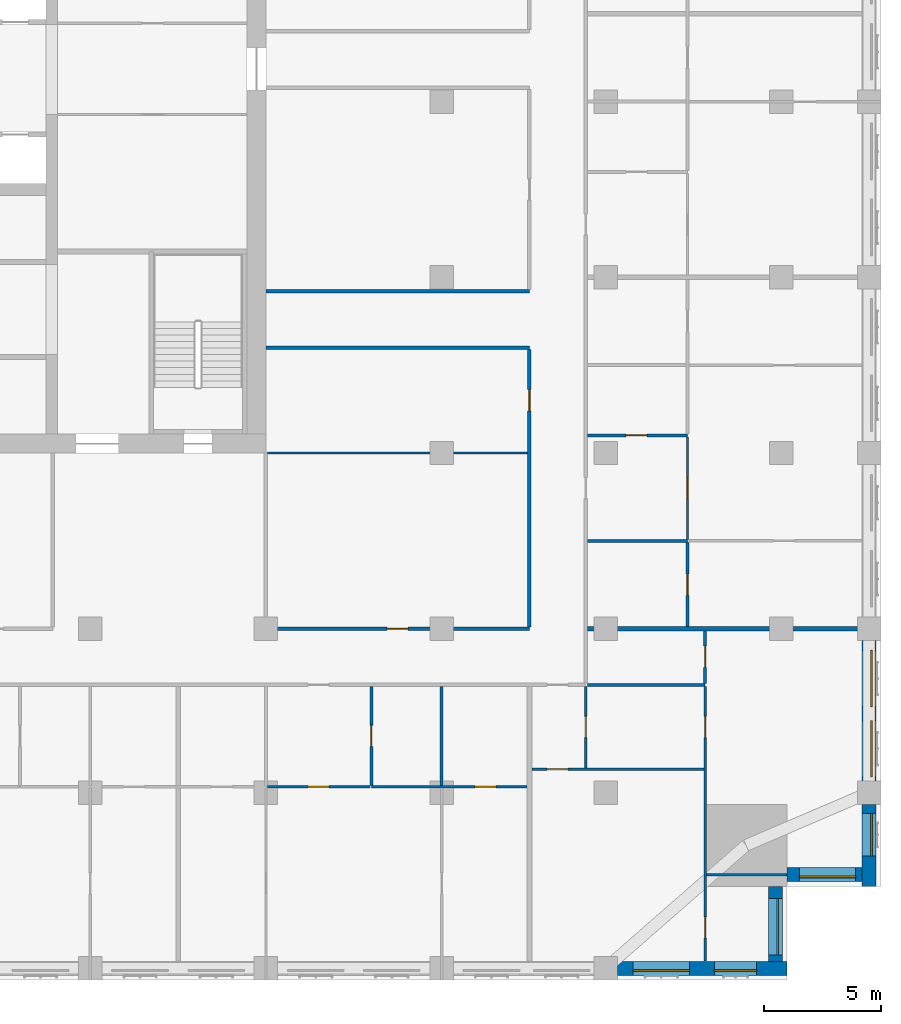
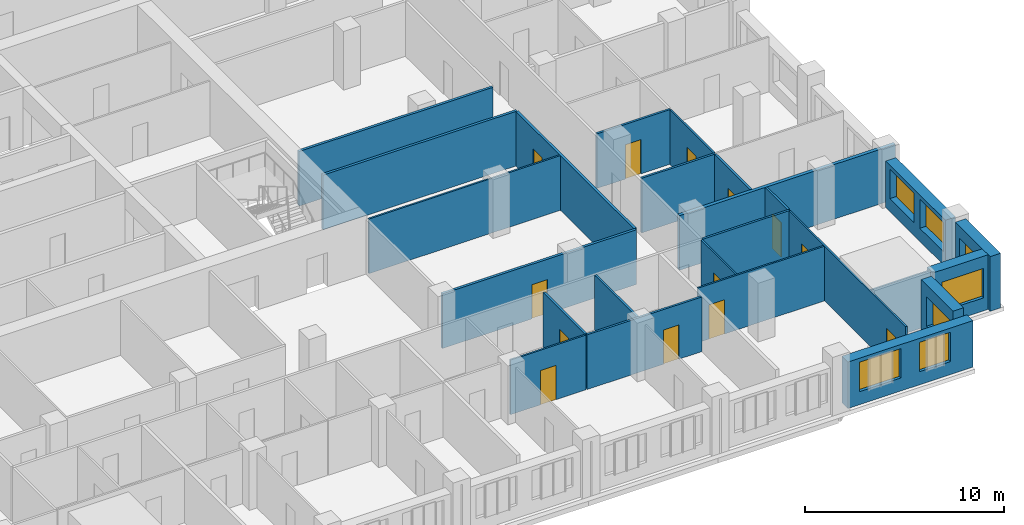
# One storey, part 6 of 13: 25 walls, 13 doors, 7 windows, 20 openings.
"""IFC4 building model written with IfcOpenShell, lengths in metres."""

from ifc_helpers import new_model, si_unit, direction, frame, frame_2d, origin, place, context, subcontext, project, spatial, rectangle, extrude, material, layer, layer_set, type_object, element, fill, save


model = new_model("IFC4")

# Units and contexts
model_context = context("Model", 3, precision=1e-05, world=origin(), true_north=direction((0.0, 1.0)))
body_context = subcontext(model_context, "Body", "Model", "MODEL_VIEW")
ifc_project = project(units=[si_unit("LENGTHUNIT", "METRE"), si_unit("AREAUNIT", "SQUARE_METRE"), si_unit("VOLUMEUNIT", "CUBIC_METRE"), si_unit("PLANEANGLEUNIT", "RADIAN"), si_unit("MASSUNIT", "GRAM", prefix="KILO")], contexts=[model_context])

# Site, building, storey
site_placement = place(None, origin())
site = spatial("IfcSite", under=ifc_project, at=site_placement, CompositionType="ELEMENT")
building_placement = place(site_placement, origin())
building = spatial("IfcBuilding", under=site, at=building_placement, Name="Tamorin Gate", CompositionType="ELEMENT")
storey_placement = place(building_placement, frame((0.0, 0.0, 159.0)))
storey = spatial("IfcBuildingStorey", under=building, at=storey_placement, Name="L39", CompositionType="ELEMENT", Elevation=159.0)

# Wall, openings, windows
ifc_material_1 = material(Name="Precast concrete C40/50", Category="concrete")
ifc_layer_1 = layer(ifc_material_1, 0.60009765625)
ifc_layer_set_1 = layer_set([ifc_layer_1], Name="Precast concrete C40/50")
wall_type_1 = type_object("IfcWallType", Name="Board-marked concrete facade panel 600", PredefinedType="SOLIDWALL", material=ifc_layer_set_1)
wall_1_placement = place(storey_placement, frame((75.0, 38.0, 0.0), z_axis=(0.0, 0.0, 1.0), x_axis=(1.0, 0.0, 0.0)))
wall_1 = element("IfcWall", 1, at=wall_1_placement, inside=storey, type_object=wall_type_1, Name="Facade panel", PredefinedType="SOLIDWALL", context=body_context, shape_type="SweptSolid", body=[
    extrude(rectangle(XDim=7.25, YDim=0.60009765625, at=frame_2d((3.625, 0.0))), origin(), (0.0, 0.0, 1.0), 2.85009765625),
])
opening_1_placement = place(wall_1_placement, frame((0.675048828125, 0.0, 0.800048828125)))
opening_1 = element("IfcOpeningElement", 2, at=opening_1_placement, cuts=wall_1, Name="Opening WN1", PredefinedType="OPENING", context=body_context, shape_type="SweptSolid", body=[
    extrude(rectangle(XDim=2.39990234375, YDim=1.800048828125, at=frame_2d((1.199951171875, 0.89990234375))), frame((0.0, 0.31005859375, 0.0), z_axis=(0.0, -1.0, 0.0), x_axis=(1.0, 0.0, 0.0)), (0.0, 0.0, 1.0), 0.6201171875),
])
opening_2_placement = place(wall_1_placement, frame((4.14990234375, 0.0, 0.800048828125)))
opening_2 = element("IfcOpeningElement", 3, at=opening_2_placement, cuts=wall_1, Name="Opening WN2", PredefinedType="OPENING", context=body_context, shape_type="SweptSolid", body=[
    extrude(rectangle(XDim=1.800048828125, YDim=1.800048828125, at=frame_2d((0.89990234375, 0.89990234375))), frame((0.0, 0.31005859375, 0.0), z_axis=(0.0, -1.0, 0.0), x_axis=(1.0, 0.0, 0.0)), (0.0, 0.0, 1.0), 0.6201171875),
])
ifc_material_2 = material(Name="Clear glass in aluminium frame", Category="aluminium")
window_type_1 = type_object("IfcWindowType", Name="Deep-set window 1800x1800", PartitioningType="SINGLE_PANEL", PredefinedType="WINDOW", material=ifc_material_2)
window_1_placement = place(opening_2_placement, origin())
window_1 = element("IfcWindow", 4, at=window_1_placement, inside=storey, type_object=window_type_1, Name="Deep-set window", OverallHeight=1.800048828125, OverallWidth=1.800048828125, PartitioningType="SINGLE_PANEL", PredefinedType="WINDOW", context=body_context, shape_type="SweptSolid", body=[
    extrude(rectangle(XDim=1.800048828125, YDim=1.800048828125, at=frame_2d((0.89990234375, 0.89990234375))), frame((0.0, -0.070068359375, 0.0), z_axis=(0.0, -1.0, 0.0), x_axis=(1.0, 0.0, 0.0)), (0.0, 0.0, 1.0), 0.06005859375),
])
fill(opening_2, window_1)
window_type_2 = type_object("IfcWindowType", Name="Deep-set window 2400x1800", PartitioningType="SINGLE_PANEL", PredefinedType="WINDOW", material=ifc_material_2)
window_2_placement = place(opening_1_placement, origin())
window_2 = element("IfcWindow", 5, at=window_2_placement, inside=storey, type_object=window_type_2, Name="Deep-set window", OverallHeight=1.800048828125, OverallWidth=2.39990234375, PartitioningType="SINGLE_PANEL", PredefinedType="WINDOW", context=body_context, shape_type="SweptSolid", body=[
    extrude(rectangle(XDim=2.39990234375, YDim=1.800048828125, at=frame_2d((1.199951171875, 0.89990234375))), frame((0.0, -0.070068359375, 0.0), z_axis=(0.0, -1.0, 0.0), x_axis=(1.0, 0.0, 0.0)), (0.0, 0.0, 1.0), 0.06005859375),
])
fill(opening_1, window_2)

# Wall, opening, window
wall_2_placement = place(storey_placement, frame((81.75, 38.300048828125, 0.0), z_axis=(0.0, 0.0, 1.0), x_axis=(0.0, 1.0, 0.0)))
wall_2 = element("IfcWall", 6, at=wall_2_placement, inside=storey, type_object=wall_type_1, Name="Facade panel", PredefinedType="SOLIDWALL", context=body_context, shape_type="SweptSolid", body=[
    extrude(rectangle(XDim=3.199951171875, YDim=0.60009765625, at=frame_2d((1.60009765625, 0.0))), origin(), (0.0, 0.0, 1.0), 3.35009765625),
])
opening_3_placement = place(wall_2_placement, frame((0.27490234375, 0.0, 0.800048828125)))
opening_3 = element("IfcOpeningElement", 7, at=opening_3_placement, cuts=wall_2, Name="Opening WN1", PredefinedType="OPENING", context=body_context, shape_type="SweptSolid", body=[
    extrude(rectangle(XDim=2.39990234375, YDim=1.800048828125, at=frame_2d((1.199951171875, 0.89990234375))), frame((0.0, 0.31005859375, 0.0), z_axis=(0.0, -1.0, 0.0), x_axis=(1.0, 0.0, 0.0)), (0.0, 0.0, 1.0), 0.6201171875),
])
window_3_placement = place(opening_3_placement, origin())
window_3 = element("IfcWindow", 8, at=window_3_placement, inside=storey, type_object=window_type_2, Name="Deep-set window", OverallHeight=1.800048828125, OverallWidth=2.39990234375, PartitioningType="SINGLE_PANEL", PredefinedType="WINDOW", context=body_context, shape_type="SweptSolid", body=[
    extrude(rectangle(XDim=2.39990234375, YDim=1.800048828125, at=frame_2d((1.199951171875, 0.89990234375))), frame((0.0, -0.070068359375, 0.0), z_axis=(0.0, -1.0, 0.0), x_axis=(1.0, 0.0, 0.0)), (0.0, 0.0, 1.0), 0.06005859375),
])
fill(opening_3, window_3)

wall_3_placement = place(storey_placement, frame((82.25, 42.0, 0.0), z_axis=(0.0, 0.0, 1.0), x_axis=(1.0, 0.0, 0.0)))
wall_3 = element("IfcWall", 9, at=wall_3_placement, inside=storey, type_object=wall_type_1, Name="Facade panel", PredefinedType="SOLIDWALL", context=body_context, shape_type="SweptSolid", body=[
    extrude(rectangle(XDim=3.199951171875, YDim=0.60009765625, at=frame_2d((1.60009765625, 0.0))), origin(), (0.0, 0.0, 1.0), 3.35009765625),
])
opening_4_placement = place(wall_3_placement, frame((0.52490234375, 0.0, 0.800048828125)))
opening_4 = element("IfcOpeningElement", 10, at=opening_4_placement, cuts=wall_3, Name="Opening WN1", PredefinedType="OPENING", context=body_context, shape_type="SweptSolid", body=[
    extrude(rectangle(XDim=2.39990234375, YDim=1.800048828125, at=frame_2d((1.199951171875, 0.89990234375))), frame((0.0, 0.31005859375, 0.0), z_axis=(0.0, -1.0, 0.0), x_axis=(1.0, 0.0, 0.0)), (0.0, 0.0, 1.0), 0.6201171875),
])
window_4_placement = place(opening_4_placement, origin())
window_4 = element("IfcWindow", 11, at=window_4_placement, inside=storey, type_object=window_type_2, Name="Deep-set window", OverallHeight=1.800048828125, OverallWidth=2.39990234375, PartitioningType="SINGLE_PANEL", PredefinedType="WINDOW", context=body_context, shape_type="SweptSolid", body=[
    extrude(rectangle(XDim=2.39990234375, YDim=1.800048828125, at=frame_2d((1.199951171875, 0.89990234375))), frame((0.0, -0.070068359375, 0.0), z_axis=(0.0, -1.0, 0.0), x_axis=(1.0, 0.0, 0.0)), (0.0, 0.0, 1.0), 0.06005859375),
])
fill(opening_4, window_4)

wall_4_placement = place(storey_placement, frame((85.75, 41.5, 0.0), z_axis=(0.0, 0.0, 1.0), x_axis=(0.0, 1.0, 0.0)))
wall_4 = element("IfcWall", 12, at=wall_4_placement, inside=storey, type_object=wall_type_1, Name="Facade panel", PredefinedType="SOLIDWALL", context=body_context, shape_type="SweptSolid", body=[
    extrude(rectangle(XDim=3.5, YDim=0.60009765625, at=frame_2d((1.75, 0.0))), origin(), (0.0, 0.0, 1.0), 3.35009765625),
])
opening_5_placement = place(wall_4_placement, frame((1.300048828125, 0.0, 0.800048828125)))
opening_5 = element("IfcOpeningElement", 13, at=opening_5_placement, cuts=wall_4, Name="Opening WN2", PredefinedType="OPENING", context=body_context, shape_type="SweptSolid", body=[
    extrude(rectangle(XDim=1.800048828125, YDim=1.800048828125, at=frame_2d((0.89990234375, 0.89990234375))), frame((0.0, 0.31005859375, 0.0), z_axis=(0.0, -1.0, 0.0), x_axis=(1.0, 0.0, 0.0)), (0.0, 0.0, 1.0), 0.6201171875),
])
window_5_placement = place(opening_5_placement, origin())
window_5 = element("IfcWindow", 14, at=window_5_placement, inside=storey, type_object=window_type_1, Name="Deep-set window", OverallHeight=1.800048828125, OverallWidth=1.800048828125, PartitioningType="SINGLE_PANEL", PredefinedType="WINDOW", context=body_context, shape_type="SweptSolid", body=[
    extrude(rectangle(XDim=1.800048828125, YDim=1.800048828125, at=frame_2d((0.89990234375, 0.89990234375))), frame((0.0, -0.070068359375, 0.0), z_axis=(0.0, -1.0, 0.0), x_axis=(1.0, 0.0, 0.0)), (0.0, 0.0, 1.0), 0.06005859375),
])
fill(opening_5, window_5)

# Wall, openings, windows
wall_5_placement = place(storey_placement, frame((85.75, 46.0, 0.0), z_axis=(0.0, 0.0, 1.0), x_axis=(0.0, 1.0, 0.0)))
wall_5 = element("IfcWall", 15, at=wall_5_placement, inside=storey, type_object=wall_type_1, Name="Facade panel", PredefinedType="SOLIDWALL", context=body_context, shape_type="SweptSolid", body=[
    extrude(rectangle(XDim=6.0, YDim=0.60009765625, at=frame_2d((3.0, 0.0))), origin(), (0.0, 0.0, 1.0), 2.85009765625),
])
opening_6_placement = place(wall_5_placement, frame((0.175048828125, 0.0, 0.800048828125)))
opening_6 = element("IfcOpeningElement", 16, at=opening_6_placement, cuts=wall_5, Name="Opening WN1", PredefinedType="OPENING", context=body_context, shape_type="SweptSolid", body=[
    extrude(rectangle(XDim=2.39990234375, YDim=1.800048828125, at=frame_2d((1.199951171875, 0.89990234375))), frame((0.0, 0.31005859375, 0.0), z_axis=(0.0, -1.0, 0.0), x_axis=(1.0, 0.0, 0.0)), (0.0, 0.0, 1.0), 0.6201171875),
])
opening_7_placement = place(wall_5_placement, frame((3.175048828125, 0.0, 0.800048828125)))
opening_7 = element("IfcOpeningElement", 17, at=opening_7_placement, cuts=wall_5, Name="Opening WN1", PredefinedType="OPENING", context=body_context, shape_type="SweptSolid", body=[
    extrude(rectangle(XDim=2.39990234375, YDim=1.800048828125, at=frame_2d((1.199951171875, 0.89990234375))), frame((0.0, 0.31005859375, 0.0), z_axis=(0.0, -1.0, 0.0), x_axis=(1.0, 0.0, 0.0)), (0.0, 0.0, 1.0), 0.6201171875),
])
window_6_placement = place(opening_6_placement, origin())
window_6 = element("IfcWindow", 18, at=window_6_placement, inside=storey, type_object=window_type_2, Name="Deep-set window", OverallHeight=1.800048828125, OverallWidth=2.39990234375, PartitioningType="SINGLE_PANEL", PredefinedType="WINDOW", context=body_context, shape_type="SweptSolid", body=[
    extrude(rectangle(XDim=2.39990234375, YDim=1.800048828125, at=frame_2d((1.199951171875, 0.89990234375))), frame((0.0, -0.070068359375, 0.0), z_axis=(0.0, -1.0, 0.0), x_axis=(1.0, 0.0, 0.0)), (0.0, 0.0, 1.0), 0.06005859375),
])
fill(opening_6, window_6)
window_7_placement = place(opening_7_placement, origin())
window_7 = element("IfcWindow", 19, at=window_7_placement, inside=storey, type_object=window_type_2, Name="Deep-set window", OverallHeight=1.800048828125, OverallWidth=2.39990234375, PartitioningType="SINGLE_PANEL", PredefinedType="WINDOW", context=body_context, shape_type="SweptSolid", body=[
    extrude(rectangle(XDim=2.39990234375, YDim=1.800048828125, at=frame_2d((1.199951171875, 0.89990234375))), frame((0.0, -0.070068359375, 0.0), z_axis=(0.0, -1.0, 0.0), x_axis=(1.0, 0.0, 0.0)), (0.0, 0.0, 1.0), 0.06005859375),
])
fill(opening_7, window_7)

# Wall, opening, door
ifc_material_3 = material(Name="Gypsum board partition")
ifc_layer_2 = layer(ifc_material_3, 0.14990234375)
ifc_layer_set_2 = layer_set([ifc_layer_2], Name="Corridor wall 150")
wall_type_2 = type_object("IfcWallType", Name="Corridor wall 150", PredefinedType="PARTITIONING", material=ifc_layer_set_2)
wall_6_placement = place(storey_placement, frame((60.0, 52.5, 0.0), z_axis=(0.0, 0.0, 1.0), x_axis=(1.0, 0.0, 0.0)))
wall_6 = element("IfcWall", 20, at=wall_6_placement, inside=storey, type_object=wall_type_2, Name="Corridor wall 150", PredefinedType="PARTITIONING", context=body_context, shape_type="SweptSolid", body=[
    extrude(rectangle(XDim=11.25, YDim=0.14990234375, at=frame_2d((5.625, 0.0))), origin(), (0.0, 0.0, 1.0), 3.35009765625),
])
opening_8_placement = place(wall_6_placement, frame((5.175048828125, 0.0, 0.0)))
opening_8 = element("IfcOpeningElement", 21, at=opening_8_placement, cuts=wall_6, Name="Opening DS1066", PredefinedType="OPENING", context=body_context, shape_type="SweptSolid", body=[
    extrude(rectangle(XDim=0.89990234375, YDim=2.10009765625, at=frame_2d((0.449951171875, 1.050048828125))), frame((0.0, 0.0849609375, 0.0), z_axis=(0.0, -1.0, 0.0), x_axis=(1.0, 0.0, 0.0)), (0.0, 0.0, 1.0), 0.169921875),
])
ifc_material_4 = material(Name="Timber door leaf", Category="wood")
door_type_1 = type_object("IfcDoorType", Name="Door 900 x 2100 FD30S", OperationType="NOTDEFINED", PredefinedType="DOOR", material=ifc_material_4)
door_1_placement = place(opening_8_placement, origin())
door_1 = element("IfcDoor", 22, at=door_1_placement, inside=storey, type_object=door_type_1, Name="Door DS1066", OperationType="SINGLE_SWING_LEFT", OverallHeight=2.10009765625, OverallWidth=0.89990234375, PredefinedType="DOOR", context=body_context, shape_type="SweptSolid", body=[
    extrude(rectangle(XDim=0.89990234375, YDim=2.10009765625, at=frame_2d((0.449951171875, 1.050048828125))), frame((0.0, 0.02490234375, 0.0), z_axis=(0.0, -1.0, 0.0), x_axis=(1.0, 0.0, 0.0)), (0.0, 0.0, 1.0), 0.050048828125),
])
fill(opening_8, door_1)

wall_7_placement = place(storey_placement, frame((71.25, 52.574951171875, 0.0), z_axis=(0.0, 0.0, 1.0), x_axis=(0.0, 1.0, 0.0)))
wall_7 = element("IfcWall", 23, at=wall_7_placement, inside=storey, type_object=wall_type_2, Name="Corridor wall 150", PredefinedType="PARTITIONING", context=body_context, shape_type="SweptSolid", body=[
    extrude(rectangle(XDim=11.85009765625, YDim=0.14990234375, at=frame_2d((5.925048828125, 0.0))), origin(), (0.0, 0.0, 1.0), 3.35009765625),
])
opening_9_placement = place(wall_7_placement, frame((9.22509765625, 0.0, 0.0)))
opening_9 = element("IfcOpeningElement", 24, at=opening_9_placement, cuts=wall_7, Name="Opening DS1070", PredefinedType="OPENING", context=body_context, shape_type="SweptSolid", body=[
    extrude(rectangle(XDim=0.89990234375, YDim=2.10009765625, at=frame_2d((0.449951171875, 1.050048828125))), frame((0.0, 0.0849609375, 0.0), z_axis=(0.0, -1.0, 0.0), x_axis=(1.0, 0.0, 0.0)), (0.0, 0.0, 1.0), 0.169921875),
])
door_2_placement = place(opening_9_placement, origin())
door_2 = element("IfcDoor", 25, at=door_2_placement, inside=storey, type_object=door_type_1, Name="Door DS1070", OperationType="SINGLE_SWING_LEFT", OverallHeight=2.10009765625, OverallWidth=0.89990234375, PredefinedType="DOOR", context=body_context, shape_type="SweptSolid", body=[
    extrude(rectangle(XDim=0.89990234375, YDim=2.10009765625, at=frame_2d((0.449951171875, 1.050048828125))), frame((0.0, 0.02490234375, 0.0), z_axis=(0.0, -1.0, 0.0), x_axis=(1.0, 0.0, 0.0)), (0.0, 0.0, 1.0), 0.050048828125),
])
fill(opening_9, door_2)

# Walls
ifc_layer_3 = layer(ifc_material_3, 0.199951171875)
ifc_layer_set_3 = layer_set([ifc_layer_3], Name="Demising wall 200")
wall_type_3 = type_object("IfcWallType", Name="Demising wall 200", PredefinedType="PARTITIONING", material=ifc_layer_set_3)
wall_8_placement = place(storey_placement, frame((73.72509765625, 52.5, 0.0), z_axis=(0.0, 0.0, 1.0), x_axis=(1.0, 0.0, 0.0)))
element("IfcWall", 26, at=wall_8_placement, inside=storey, type_object=wall_type_3, Name="Demising wall 200", PredefinedType="PARTITIONING", context=body_context, shape_type="SweptSolid", body=[
    extrude(rectangle(XDim=12.52490234375, YDim=0.199951171875, at=frame_2d((6.262451171875, 0.0))), origin(), (0.0, 0.0, 1.0), 3.35009765625),
])
ifc_layer_4 = layer(ifc_material_3, 0.14990234375)
ifc_layer_set_4 = layer_set([ifc_layer_4], Name="Lobby wall 150")
wall_type_4 = type_object("IfcWallType", Name="Lobby wall 150", PredefinedType="PARTITIONING", material=ifc_layer_set_4)
for number, where, z_axis, x_axis, name in (
    (27, (60.0, 64.5, 0.0), (0.0, 0.0, 1.0), (1.0, 0.0, 0.0), "Lobby wall 150"),
    (28, (60.0, 66.89990234375, 0.0), (0.0, 0.0, 1.0), (1.0, 0.0, 0.0), "Lobby wall 150"),
):
    element("IfcWall", number, at=place(storey_placement, frame(where, z_axis=z_axis, x_axis=x_axis)), inside=storey, type_object=wall_type_4, Name=name, PredefinedType="PARTITIONING", context=body_context, shape_type="SweptSolid", body=[
        extrude(rectangle(XDim=11.25, YDim=0.14990234375, at=frame_2d((5.625, 0.0))), origin(), (0.0, 0.0, 1.0), 3.35009765625),
    ])
ifc_layer_5 = layer(ifc_material_3, 0.10009765625)
ifc_layer_set_5 = layer_set([ifc_layer_5], Name="Room partition 100")
wall_type_5 = type_object("IfcWallType", Name="Room partition 100", PredefinedType="PARTITIONING", material=ifc_layer_set_5)
wall_9_placement = place(storey_placement, frame((78.800048828125, 42.0, 0.0), z_axis=(0.0, 0.0, 1.0), x_axis=(1.0, 0.0, 0.0)))
element("IfcWall", 29, at=wall_9_placement, inside=storey, type_object=wall_type_5, Name="Room partition 100", PredefinedType="PARTITIONING", context=body_context, shape_type="SweptSolid", body=[
    extrude(rectangle(XDim=3.43994140625, YDim=0.10009765625, at=frame_2d((1.719970703125, 0.0))), origin(), (0.0, 0.0, 1.0), 3.35009765625),
])

# Wall, opening, door
wall_10_placement = place(storey_placement, frame((60.0625, 45.75, 0.0), z_axis=(0.0, 0.0, 1.0), x_axis=(1.0, 0.0, 0.0)))
wall_10 = element("IfcWall", 30, at=wall_10_placement, inside=storey, type_object=wall_type_5, Name="Room partition 100", PredefinedType="PARTITIONING", context=body_context, shape_type="SweptSolid", body=[
    extrude(rectangle(XDim=4.375, YDim=0.10009765625, at=frame_2d((2.1875, 0.0))), origin(), (0.0, 0.0, 1.0), 3.35009765625),
])
opening_10_placement = place(wall_10_placement, frame((1.737548828125, 0.0, 0.0)))
opening_10 = element("IfcOpeningElement", 31, at=opening_10_placement, cuts=wall_10, Name="Opening DS1014", PredefinedType="OPENING", context=body_context, shape_type="SweptSolid", body=[
    extrude(rectangle(XDim=0.89990234375, YDim=2.10009765625, at=frame_2d((0.449951171875, 1.050048828125))), frame((0.0, 0.06005859375, 0.0), z_axis=(0.0, -1.0, 0.0), x_axis=(1.0, 0.0, 0.0)), (0.0, 0.0, 1.0), 0.1201171875),
])
door_type_2 = type_object("IfcDoorType", Name="Door 900 x 2100", OperationType="NOTDEFINED", PredefinedType="DOOR", material=ifc_material_4)
door_3_placement = place(opening_10_placement, origin())
door_3 = element("IfcDoor", 32, at=door_3_placement, inside=storey, type_object=door_type_2, Name="Door DS1014", OperationType="SINGLE_SWING_LEFT", OverallHeight=2.10009765625, OverallWidth=0.89990234375, PredefinedType="DOOR", context=body_context, shape_type="SweptSolid", body=[
    extrude(rectangle(XDim=0.89990234375, YDim=2.10009765625, at=frame_2d((0.449951171875, 1.050048828125))), frame((0.0, 0.02490234375, 0.0), z_axis=(0.0, -1.0, 0.0), x_axis=(1.0, 0.0, 0.0)), (0.0, 0.0, 1.0), 0.050048828125),
])
fill(opening_10, door_3)

wall_11_placement = place(storey_placement, frame((71.35009765625, 46.5, 0.0), z_axis=(0.0, 0.0, 1.0), x_axis=(1.0, 0.0, 0.0)))
wall_11 = element("IfcWall", 33, at=wall_11_placement, inside=storey, type_object=wall_type_5, Name="Room partition 100", PredefinedType="PARTITIONING", context=body_context, shape_type="SweptSolid", body=[
    extrude(rectangle(XDim=7.349853515625, YDim=0.10009765625, at=frame_2d((3.6748046875, 0.0))), origin(), (0.0, 0.0, 1.0), 3.35009765625),
])
opening_11_placement = place(wall_11_placement, frame((0.64990234375, 0.0, 0.0)))
opening_11 = element("IfcOpeningElement", 34, at=opening_11_placement, cuts=wall_11, Name="Opening DS1052", PredefinedType="OPENING", context=body_context, shape_type="SweptSolid", body=[
    extrude(rectangle(XDim=0.89990234375, YDim=2.10009765625, at=frame_2d((0.449951171875, 1.050048828125))), frame((0.0, 0.06005859375, 0.0), z_axis=(0.0, -1.0, 0.0), x_axis=(1.0, 0.0, 0.0)), (0.0, 0.0, 1.0), 0.1201171875),
])
door_4_placement = place(opening_11_placement, origin())
door_4 = element("IfcDoor", 35, at=door_4_placement, inside=storey, type_object=door_type_2, Name="Door DS1052", OperationType="SINGLE_SWING_RIGHT", OverallHeight=2.10009765625, OverallWidth=0.89990234375, PredefinedType="DOOR", context=body_context, shape_type="SweptSolid", body=[
    extrude(rectangle(XDim=0.89990234375, YDim=2.10009765625, at=frame_2d((0.449951171875, 1.050048828125))), frame((0.0, 0.02490234375, 0.0), z_axis=(0.0, -1.0, 0.0), x_axis=(1.0, 0.0, 0.0)), (0.0, 0.0, 1.0), 0.050048828125),
])
fill(opening_11, door_4)

# Wall
wall_12_placement = place(storey_placement, frame((60.074951171875, 60.0, 0.0), z_axis=(0.0, 0.0, 1.0), x_axis=(1.0, 0.0, 0.0)))
element("IfcWall", 36, at=wall_12_placement, inside=storey, type_object=wall_type_5, Name="Room partition 100", PredefinedType="PARTITIONING", context=body_context, shape_type="SweptSolid", body=[
    extrude(rectangle(XDim=11.10009765625, YDim=0.10009765625, at=frame_2d((5.550048828125, 0.0))), origin(), (0.0, 0.0, 1.0), 3.35009765625),
])

# Wall, opening, door
wall_13_placement = place(storey_placement, frame((73.64990234375, 46.550048828125, 0.0), z_axis=(0.0, 0.0, 1.0), x_axis=(0.0, 1.0, 0.0)))
wall_13 = element("IfcWall", 37, at=wall_13_placement, inside=storey, type_object=wall_type_5, Name="Room partition 100", PredefinedType="PARTITIONING", context=body_context, shape_type="SweptSolid", body=[
    extrude(rectangle(XDim=3.474853515625, YDim=0.10009765625, at=frame_2d((1.7373046875, 0.0))), origin(), (0.0, 0.0, 1.0), 3.35009765625),
])
opening_12_placement = place(wall_13_placement, frame((1.300048828125, 0.0, 0.0)))
opening_12 = element("IfcOpeningElement", 38, at=opening_12_placement, cuts=wall_13, Name="Opening DS1053", PredefinedType="OPENING", context=body_context, shape_type="SweptSolid", body=[
    extrude(rectangle(XDim=0.89990234375, YDim=2.10009765625, at=frame_2d((0.449951171875, 1.050048828125))), frame((0.0, 0.06005859375, 0.0), z_axis=(0.0, -1.0, 0.0), x_axis=(1.0, 0.0, 0.0)), (0.0, 0.0, 1.0), 0.1201171875),
])
door_5_placement = place(opening_12_placement, origin())
door_5 = element("IfcDoor", 39, at=door_5_placement, inside=storey, type_object=door_type_2, Name="Door DS1053", OperationType="SINGLE_SWING_RIGHT", OverallHeight=2.10009765625, OverallWidth=0.89990234375, PredefinedType="DOOR", context=body_context, shape_type="SweptSolid", body=[
    extrude(rectangle(XDim=0.89990234375, YDim=2.10009765625, at=frame_2d((0.449951171875, 1.050048828125))), frame((0.0, 0.02490234375, 0.0), z_axis=(0.0, -1.0, 0.0), x_axis=(1.0, 0.0, 0.0)), (0.0, 0.0, 1.0), 0.050048828125),
])
fill(opening_12, door_5)

wall_14_placement = place(storey_placement, frame((78.0, 56.3125, 0.0), z_axis=(0.0, 0.0, 1.0), x_axis=(0.0, 1.0, 0.0)))
wall_14 = element("IfcWall", 40, at=wall_14_placement, inside=storey, type_object=wall_type_5, Name="Room partition 100", PredefinedType="PARTITIONING", context=body_context, shape_type="SweptSolid", body=[
    extrude(rectangle(XDim=4.375, YDim=0.10009765625, at=frame_2d((2.1875, 0.0))), origin(), (0.0, 0.0, 1.0), 3.35009765625),
])
opening_13_placement = place(wall_14_placement, frame((1.737548828125, 0.0, 0.0)))
opening_13 = element("IfcOpeningElement", 41, at=opening_13_placement, cuts=wall_14, Name="Opening DS1038", PredefinedType="OPENING", context=body_context, shape_type="SweptSolid", body=[
    extrude(rectangle(XDim=0.89990234375, YDim=2.10009765625, at=frame_2d((0.449951171875, 1.050048828125))), frame((0.0, 0.06005859375, 0.0), z_axis=(0.0, -1.0, 0.0), x_axis=(1.0, 0.0, 0.0)), (0.0, 0.0, 1.0), 0.1201171875),
])
door_6_placement = place(opening_13_placement, origin())
door_6 = element("IfcDoor", 42, at=door_6_placement, inside=storey, type_object=door_type_2, Name="Door DS1038", OperationType="SINGLE_SWING_LEFT", OverallHeight=2.10009765625, OverallWidth=0.89990234375, PredefinedType="DOOR", context=body_context, shape_type="SweptSolid", body=[
    extrude(rectangle(XDim=0.89990234375, YDim=2.10009765625, at=frame_2d((0.449951171875, 1.050048828125))), frame((0.0, 0.02490234375, 0.0), z_axis=(0.0, -1.0, 0.0), x_axis=(1.0, 0.0, 0.0)), (0.0, 0.0, 1.0), 0.050048828125),
])
fill(opening_13, door_6)

# Wall, openings, doors
wall_15_placement = place(storey_placement, frame((78.75, 38.31005859375, 0.0), z_axis=(0.0, 0.0, 1.0), x_axis=(0.0, 1.0, 0.0)))
wall_15 = element("IfcWall", 43, at=wall_15_placement, inside=storey, type_object=wall_type_5, Name="Room partition 100", PredefinedType="PARTITIONING", context=body_context, shape_type="SweptSolid", body=[
    extrude(rectangle(XDim=11.7275390625, YDim=0.10009765625, at=frame_2d((5.86376953125, 0.0))), origin(), (0.0, 0.0, 1.0), 3.35009765625),
])
opening_14_placement = place(wall_15_placement, frame((0.989990234375, 0.0, 0.0)))
opening_14 = element("IfcOpeningElement", 44, at=opening_14_placement, cuts=wall_15, Name="Opening DS1054", PredefinedType="OPENING", context=body_context, shape_type="SweptSolid", body=[
    extrude(rectangle(XDim=0.89990234375, YDim=2.10009765625, at=frame_2d((0.449951171875, 1.050048828125))), frame((0.0, 0.06005859375, 0.0), z_axis=(0.0, -1.0, 0.0), x_axis=(1.0, 0.0, 0.0)), (0.0, 0.0, 1.0), 0.1201171875),
])
opening_15_placement = place(wall_15_placement, frame((9.5400390625, 0.0, 0.0)))
opening_15 = element("IfcOpeningElement", 45, at=opening_15_placement, cuts=wall_15, Name="Opening DS1055", PredefinedType="OPENING", context=body_context, shape_type="SweptSolid", body=[
    extrude(rectangle(XDim=0.89990234375, YDim=2.10009765625, at=frame_2d((0.449951171875, 1.050048828125))), frame((0.0, 0.06005859375, 0.0), z_axis=(0.0, -1.0, 0.0), x_axis=(1.0, 0.0, 0.0)), (0.0, 0.0, 1.0), 0.1201171875),
])
door_7_placement = place(opening_14_placement, origin())
door_7 = element("IfcDoor", 46, at=door_7_placement, inside=storey, type_object=door_type_2, Name="Door DS1054", OperationType="SINGLE_SWING_LEFT", OverallHeight=2.10009765625, OverallWidth=0.89990234375, PredefinedType="DOOR", context=body_context, shape_type="SweptSolid", body=[
    extrude(rectangle(XDim=0.89990234375, YDim=2.10009765625, at=frame_2d((0.449951171875, 1.050048828125))), frame((0.0, 0.02490234375, 0.0), z_axis=(0.0, -1.0, 0.0), x_axis=(1.0, 0.0, 0.0)), (0.0, 0.0, 1.0), 0.050048828125),
])
fill(opening_14, door_7)
door_8_placement = place(opening_15_placement, origin())
door_8 = element("IfcDoor", 47, at=door_8_placement, inside=storey, type_object=door_type_2, Name="Door DS1055", OperationType="SINGLE_SWING_RIGHT", OverallHeight=2.10009765625, OverallWidth=0.89990234375, PredefinedType="DOOR", context=body_context, shape_type="SweptSolid", body=[
    extrude(rectangle(XDim=0.89990234375, YDim=2.10009765625, at=frame_2d((0.449951171875, 1.050048828125))), frame((0.0, 0.02490234375, 0.0), z_axis=(0.0, -1.0, 0.0), x_axis=(1.0, 0.0, 0.0)), (0.0, 0.0, 1.0), 0.050048828125),
])
fill(opening_15, door_8)

# Wall, opening, door
ifc_layer_6 = layer(ifc_material_3, 0.125)
ifc_layer_set_6 = layer_set([ifc_layer_6], Name="Wet wall 125")
wall_type_6 = type_object("IfcWallType", Name="Wet wall 125", PredefinedType="PARTITIONING", material=ifc_layer_set_6)
wall_16_placement = place(storey_placement, frame((64.5, 45.75, 0.0), z_axis=(0.0, 0.0, 1.0), x_axis=(1.0, 0.0, 0.0)))
wall_16 = element("IfcWall", 48, at=wall_16_placement, inside=storey, type_object=wall_type_6, Name="Wet wall 125", PredefinedType="PARTITIONING", context=body_context, shape_type="SweptSolid", body=[
    extrude(rectangle(XDim=6.64990234375, YDim=0.125, at=frame_2d((3.324951171875, 0.0))), origin(), (0.0, 0.0, 1.0), 3.35009765625),
])
opening_16_placement = place(wall_16_placement, frame((4.425048828125, 0.0, 0.0)))
opening_16 = element("IfcOpeningElement", 49, at=opening_16_placement, cuts=wall_16, Name="Opening DS1016", PredefinedType="OPENING", context=body_context, shape_type="SweptSolid", body=[
    extrude(rectangle(XDim=0.89990234375, YDim=2.10009765625, at=frame_2d((0.449951171875, 1.050048828125))), frame((0.0, 0.072509765625, 0.0), z_axis=(0.0, -1.0, 0.0), x_axis=(1.0, 0.0, 0.0)), (0.0, 0.0, 1.0), 0.14501953125),
])
door_9_placement = place(opening_16_placement, origin())
door_9 = element("IfcDoor", 50, at=door_9_placement, inside=storey, type_object=door_type_2, Name="Door DS1016", OperationType="SINGLE_SWING_LEFT", OverallHeight=2.10009765625, OverallWidth=0.89990234375, PredefinedType="DOOR", context=body_context, shape_type="SweptSolid", body=[
    extrude(rectangle(XDim=0.89990234375, YDim=2.10009765625, at=frame_2d((0.449951171875, 1.050048828125))), frame((0.0, 0.02490234375, 0.0), z_axis=(0.0, -1.0, 0.0), x_axis=(1.0, 0.0, 0.0)), (0.0, 0.0, 1.0), 0.050048828125),
])
fill(opening_16, door_9)

# Walls
wall_17_placement = place(storey_placement, frame((73.72509765625, 50.10009765625, 0.0), z_axis=(0.0, 0.0, 1.0), x_axis=(1.0, 0.0, 0.0)))
element("IfcWall", 51, at=wall_17_placement, inside=storey, type_object=wall_type_6, Name="Wet wall 125", PredefinedType="PARTITIONING", context=body_context, shape_type="SweptSolid", body=[
    extrude(rectangle(XDim=5.02490234375, YDim=0.125, at=frame_2d((2.512451171875, 0.0))), origin(), (0.0, 0.0, 1.0), 3.35009765625),
])
wall_18_placement = place(storey_placement, frame((73.72509765625, 56.25, 0.0), z_axis=(0.0, 0.0, 1.0), x_axis=(1.0, 0.0, 0.0)))
element("IfcWall", 52, at=wall_18_placement, inside=storey, type_object=wall_type_6, Name="Wet wall 125", PredefinedType="PARTITIONING", context=body_context, shape_type="SweptSolid", body=[
    extrude(rectangle(XDim=4.27490234375, YDim=0.125, at=frame_2d((2.137451171875, 0.0))), origin(), (0.0, 0.0, 1.0), 3.35009765625),
])

# Wall, opening, door
wall_19_placement = place(storey_placement, frame((73.72509765625, 60.75, 0.0), z_axis=(0.0, 0.0, 1.0), x_axis=(1.0, 0.0, 0.0)))
wall_19 = element("IfcWall", 53, at=wall_19_placement, inside=storey, type_object=wall_type_6, Name="Wet wall 125", PredefinedType="PARTITIONING", context=body_context, shape_type="SweptSolid", body=[
    extrude(rectangle(XDim=4.27490234375, YDim=0.125, at=frame_2d((2.137451171875, 0.0))), origin(), (0.0, 0.0, 1.0), 3.35009765625),
])
opening_17_placement = place(wall_19_placement, frame((1.64990234375, 0.0, 0.0)))
opening_17 = element("IfcOpeningElement", 54, at=opening_17_placement, cuts=wall_19, Name="Opening DS1039", PredefinedType="OPENING", context=body_context, shape_type="SweptSolid", body=[
    extrude(rectangle(XDim=0.89990234375, YDim=2.10009765625, at=frame_2d((0.449951171875, 1.050048828125))), frame((0.0, 0.072509765625, 0.0), z_axis=(0.0, -1.0, 0.0), x_axis=(1.0, 0.0, 0.0)), (0.0, 0.0, 1.0), 0.14501953125),
])
door_10_placement = place(opening_17_placement, origin())
door_10 = element("IfcDoor", 55, at=door_10_placement, inside=storey, type_object=door_type_2, Name="Door DS1039", OperationType="SINGLE_SWING_RIGHT", OverallHeight=2.10009765625, OverallWidth=0.89990234375, PredefinedType="DOOR", context=body_context, shape_type="SweptSolid", body=[
    extrude(rectangle(XDim=0.89990234375, YDim=2.10009765625, at=frame_2d((0.449951171875, 1.050048828125))), frame((0.0, 0.02490234375, 0.0), z_axis=(0.0, -1.0, 0.0), x_axis=(1.0, 0.0, 0.0)), (0.0, 0.0, 1.0), 0.050048828125),
])
fill(opening_17, door_10)

wall_20_placement = place(storey_placement, frame((64.5, 45.8125, 0.0), z_axis=(0.0, 0.0, 1.0), x_axis=(0.0, 1.0, 0.0)))
wall_20 = element("IfcWall", 56, at=wall_20_placement, inside=storey, type_object=wall_type_6, Name="Wet wall 125", PredefinedType="PARTITIONING", context=body_context, shape_type="SweptSolid", body=[
    extrude(rectangle(XDim=4.21240234375, YDim=0.125, at=frame_2d((2.106201171875, 0.0))), origin(), (0.0, 0.0, 1.0), 3.35009765625),
])
opening_18_placement = place(wall_20_placement, frame((1.66259765625, 0.0, 0.0)))
opening_18 = element("IfcOpeningElement", 57, at=opening_18_placement, cuts=wall_20, Name="Opening DS1015", PredefinedType="OPENING", context=body_context, shape_type="SweptSolid", body=[
    extrude(rectangle(XDim=0.89990234375, YDim=2.10009765625, at=frame_2d((0.449951171875, 1.050048828125))), frame((0.0, 0.072509765625, 0.0), z_axis=(0.0, -1.0, 0.0), x_axis=(1.0, 0.0, 0.0)), (0.0, 0.0, 1.0), 0.14501953125),
])
door_11_placement = place(opening_18_placement, origin())
door_11 = element("IfcDoor", 58, at=door_11_placement, inside=storey, type_object=door_type_2, Name="Door DS1015", OperationType="SINGLE_SWING_LEFT", OverallHeight=2.10009765625, OverallWidth=0.89990234375, PredefinedType="DOOR", context=body_context, shape_type="SweptSolid", body=[
    extrude(rectangle(XDim=0.89990234375, YDim=2.10009765625, at=frame_2d((0.449951171875, 1.050048828125))), frame((0.0, 0.02490234375, 0.0), z_axis=(0.0, -1.0, 0.0), x_axis=(1.0, 0.0, 0.0)), (0.0, 0.0, 1.0), 0.050048828125),
])
fill(opening_18, door_11)

# Wall
wall_21_placement = place(storey_placement, frame((67.5, 45.8125, 0.0), z_axis=(0.0, 0.0, 1.0), x_axis=(0.0, 1.0, 0.0)))
element("IfcWall", 59, at=wall_21_placement, inside=storey, type_object=wall_type_6, Name="Wet wall 125", PredefinedType="PARTITIONING", context=body_context, shape_type="SweptSolid", body=[
    extrude(rectangle(XDim=4.21240234375, YDim=0.125, at=frame_2d((2.106201171875, 0.0))), origin(), (0.0, 0.0, 1.0), 3.35009765625),
])

# Wall, opening, door
wall_22_placement = place(storey_placement, frame((78.0, 52.60009765625, 0.0), z_axis=(0.0, 0.0, 1.0), x_axis=(0.0, 1.0, 0.0)))
wall_22 = element("IfcWall", 60, at=wall_22_placement, inside=storey, type_object=wall_type_6, Name="Wet wall 125", PredefinedType="PARTITIONING", context=body_context, shape_type="SweptSolid", body=[
    extrude(rectangle(XDim=3.58740234375, YDim=0.125, at=frame_2d((1.793701171875, 0.0))), origin(), (0.0, 0.0, 1.0), 3.35009765625),
])
opening_19_placement = place(wall_22_placement, frame((1.324951171875, 0.0, 0.0)))
opening_19 = element("IfcOpeningElement", 61, at=opening_19_placement, cuts=wall_22, Name="Opening DS1036", PredefinedType="OPENING", context=body_context, shape_type="SweptSolid", body=[
    extrude(rectangle(XDim=0.89990234375, YDim=2.10009765625, at=frame_2d((0.449951171875, 1.050048828125))), frame((0.0, 0.072509765625, 0.0), z_axis=(0.0, -1.0, 0.0), x_axis=(1.0, 0.0, 0.0)), (0.0, 0.0, 1.0), 0.14501953125),
])
door_12_placement = place(opening_19_placement, origin())
door_12 = element("IfcDoor", 62, at=door_12_placement, inside=storey, type_object=door_type_2, Name="Door DS1036", OperationType="SINGLE_SWING_LEFT", OverallHeight=2.10009765625, OverallWidth=0.89990234375, PredefinedType="DOOR", context=body_context, shape_type="SweptSolid", body=[
    extrude(rectangle(XDim=0.89990234375, YDim=2.10009765625, at=frame_2d((0.449951171875, 1.050048828125))), frame((0.0, 0.02490234375, 0.0), z_axis=(0.0, -1.0, 0.0), x_axis=(1.0, 0.0, 0.0)), (0.0, 0.0, 1.0), 0.050048828125),
])
fill(opening_19, door_12)

wall_23_placement = place(storey_placement, frame((78.75, 50.16259765625, 0.0), z_axis=(0.0, 0.0, 1.0), x_axis=(0.0, 1.0, 0.0)))
wall_23 = element("IfcWall", 63, at=wall_23_placement, inside=storey, type_object=wall_type_6, Name="Wet wall 125", PredefinedType="PARTITIONING", context=body_context, shape_type="SweptSolid", body=[
    extrude(rectangle(XDim=2.2373046875, YDim=0.125, at=frame_2d((1.11865234375, 0.0))), origin(), (0.0, 0.0, 1.0), 3.35009765625),
])
opening_20_placement = place(wall_23_placement, frame((0.6875, 0.0, 0.0)))
opening_20 = element("IfcOpeningElement", 64, at=opening_20_placement, cuts=wall_23, Name="Opening DS1056", PredefinedType="OPENING", context=body_context, shape_type="SweptSolid", body=[
    extrude(rectangle(XDim=0.89990234375, YDim=2.10009765625, at=frame_2d((0.449951171875, 1.050048828125))), frame((0.0, 0.072509765625, 0.0), z_axis=(0.0, -1.0, 0.0), x_axis=(1.0, 0.0, 0.0)), (0.0, 0.0, 1.0), 0.14501953125),
])
door_13_placement = place(opening_20_placement, origin())
door_13 = element("IfcDoor", 65, at=door_13_placement, inside=storey, type_object=door_type_2, Name="Door DS1056", OperationType="SINGLE_SWING_LEFT", OverallHeight=2.10009765625, OverallWidth=0.89990234375, PredefinedType="DOOR", context=body_context, shape_type="SweptSolid", body=[
    extrude(rectangle(XDim=0.89990234375, YDim=2.10009765625, at=frame_2d((0.449951171875, 1.050048828125))), frame((0.0, 0.02490234375, 0.0), z_axis=(0.0, -1.0, 0.0), x_axis=(1.0, 0.0, 0.0)), (0.0, 0.0, 1.0), 0.050048828125),
])
fill(opening_20, door_13)

save(model, "model.ifc")
